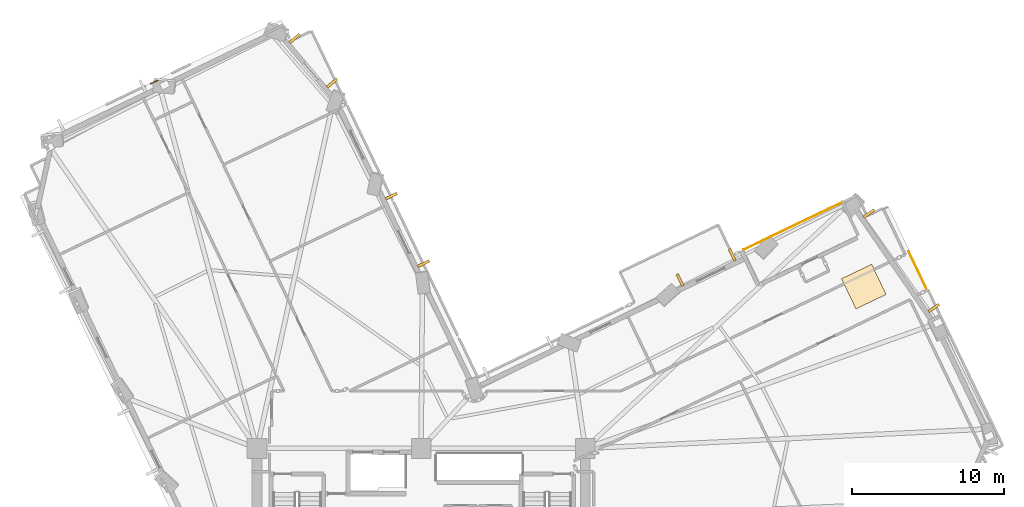
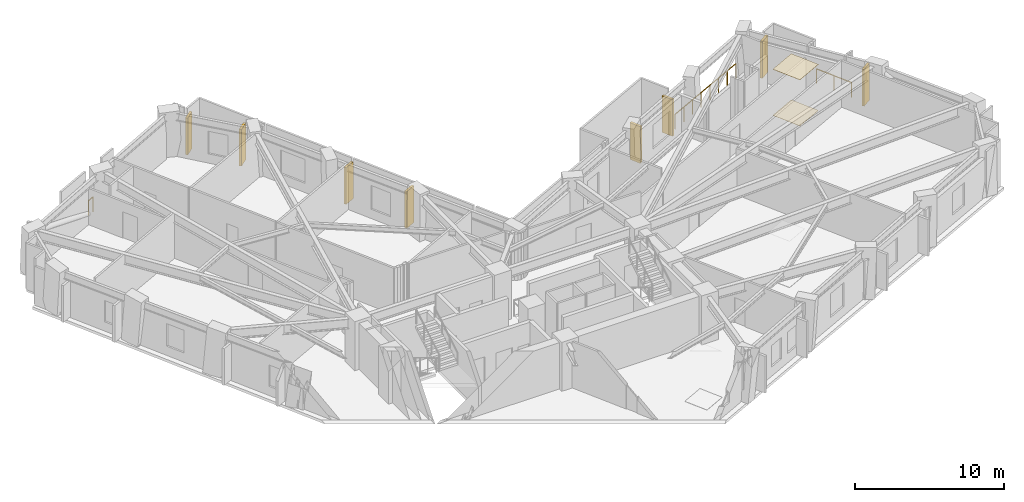
# One storey, part 15 of 16: 8 shading devices, 3 railings, 2 coverings.
"""IFC4 building model written with IfcOpenShell, lengths in metres."""

from ifc_helpers import new_model, si_unit, direction, frame, origin, origin_2d, place, context, subcontext, project, spatial, rectangle, circle, extrude, material, layer, layer_set, type_object, element, save


model = new_model("IFC4")

# Units and contexts
model_context = context("Model", 3, precision=1e-05, world=origin(), true_north=direction((0.0, 1.0)))
body_context = subcontext(model_context, "Body", "Model", "MODEL_VIEW")
ifc_project = project(units=[si_unit("LENGTHUNIT", "METRE"), si_unit("AREAUNIT", "SQUARE_METRE"), si_unit("VOLUMEUNIT", "CUBIC_METRE"), si_unit("PLANEANGLEUNIT", "RADIAN"), si_unit("MASSUNIT", "GRAM", prefix="KILO")], contexts=[model_context])

# Site, building, storey
site_placement = place(None, origin())
site = spatial("IfcSite", under=ifc_project, at=site_placement, CompositionType="ELEMENT")
building_placement = place(site_placement, origin())
building = spatial("IfcBuilding", under=site, at=building_placement, Name="Gaonmaruhae Medical Tower", CompositionType="ELEMENT")
storey_placement = place(building_placement, frame((0.0, 0.0, 132.39990234375)))
storey = spatial("IfcBuildingStorey", under=building, at=storey_placement, Name="L31", CompositionType="ELEMENT", Elevation=132.39990234375)

# Coverings
ifc_material_1 = material(Name="Acoustic mineral ceiling tile", Category="finish")
ifc_layer_1 = layer(ifc_material_1, 0.02490234375)
ifc_layer_set_1 = layer_set([ifc_layer_1], Name="Acoustic mineral ceiling tile")
covering_type_1 = type_object("IfcCoveringType", Name="CLG-01 Antimicrobial Acoustic Mineral Ceiling", PredefinedType="CEILING", material=ifc_layer_set_1)
covering_1_placement = place(storey_placement, frame((53.927490234375, 27.447509765625, 3.755126953125), z_axis=(0.0, 0.0, 1.0), x_axis=(0.901455117112, 0.43287258152, 0.0)))
element("IfcCovering", 1, at=covering_1_placement, inside=storey, type_object=covering_type_1, Name="L31 Clinical Corridor Acoustic Ceiling", PredefinedType="CEILING", context=body_context, shape_type="SweptSolid", body=[
    extrude(rectangle(XDim=2.199951171875, YDim=2.199951171875, at=origin_2d()), origin(), (0.0, 0.0, 1.0), 0.02490234375),
])
ifc_material_2 = material(Name="Seamless clinical vinyl flooring", Category="finish")
ifc_layer_2 = layer(ifc_material_2, 0.014892578125)
ifc_layer_set_2 = layer_set([ifc_layer_2], Name="Seamless clinical vinyl flooring")
covering_type_2 = type_object("IfcCoveringType", Name="FLR-01 Seamless Clinical Antistatic Vinyl Flooring", PredefinedType="FLOORING", material=ifc_layer_set_2)
covering_2_placement = place(storey_placement, frame((53.927490234375, 27.447509765625, 0.00048828125), z_axis=(0.0, 0.0, 1.0), x_axis=(0.901455117112, 0.43287258152, 0.0)))
element("IfcCovering", 2, at=covering_2_placement, inside=storey, type_object=covering_type_2, Name="L31 Clinical Corridor Vinyl Flooring", PredefinedType="FLOORING", context=body_context, shape_type="SweptSolid", body=[
    extrude(rectangle(XDim=2.199951171875, YDim=2.199951171875, at=origin_2d()), origin(), (0.0, 0.0, 1.0), 0.014892578125),
])

# Railings
ifc_material_3 = material(Name="Stainless steel 316L and laminated safety glass", Category="steel")
ifc_layer_3 = layer(ifc_material_3, 0.080078125)
ifc_layer_set_3 = layer_set([ifc_layer_3], Name="Stainless steel 316L and laminated safety glass")
railing_type = type_object("IfcRailingType", Name="GD-120 Outdoor Terrace Safety Glass & Steel Balustrade", PredefinedType="BALUSTRADE", material=ifc_layer_set_3)
railing_1_placement = place(storey_placement, frame((52.516357421875, 32.99609375, 0.0)))
element("IfcRailing", 3, at=railing_1_placement, inside=storey, type_object=railing_type, Name="L31 Terrace Safety Guard RL-SLB-L31-TER-03", PredefinedType="BALUSTRADE", context=body_context, shape_type="SweptSolid", body=[
    extrude(circle(Radius=0.02392578125, at=origin_2d()), frame((0.0, 0.0, 1.17578125), z_axis=(-0.901454259249, -0.432874368011, 0.0), x_axis=(0.432874368011, -0.901454259249, 0.0)), (0.0, 0.0, 1.0), 7.199951171875),
    extrude(circle(Radius=0.02099609375, at=origin_2d()), origin(), (0.0, 0.0, 1.0), 1.15185546875),
    extrude(circle(Radius=0.02099609375, at=origin_2d()), frame((-0.92724609375, -0.4453125, 0.0)), (0.0, 0.0, 1.0), 1.15185546875),
    extrude(circle(Radius=0.02099609375, at=origin_2d()), frame((-1.8544921875, -0.890380859375, 0.0)), (0.0, 0.0, 1.0), 1.15185546875),
    extrude(circle(Radius=0.02099609375, at=origin_2d()), frame((-2.78173828125, -1.335693359375, 0.0)), (0.0, 0.0, 1.0), 1.15185546875),
    extrude(circle(Radius=0.02099609375, at=origin_2d()), frame((-3.708740234375, -1.781005859375, 0.0)), (0.0, 0.0, 1.0), 1.15185546875),
    extrude(circle(Radius=0.02099609375, at=origin_2d()), frame((-4.635986328125, -2.226318359375, 0.0)), (0.0, 0.0, 1.0), 1.15185546875),
    extrude(circle(Radius=0.02099609375, at=origin_2d()), frame((-5.563232421875, -2.67138671875, 0.0)), (0.0, 0.0, 1.0), 1.15185546875),
    extrude(circle(Radius=0.02099609375, at=origin_2d()), frame((-6.490478515625, -3.11669921875, 0.0)), (0.0, 0.0, 1.0), 1.15185546875),
])
railing_2_placement = place(storey_placement, frame((56.88037109375, 29.752685546875, 0.0)))
element("IfcRailing", 4, at=railing_2_placement, inside=storey, type_object=railing_type, Name="L31 Perimeter Slab Edge Safety Balustrade 02", PredefinedType="BALUSTRADE", context=body_context, shape_type="SweptSolid", body=[
    extrude(circle(Radius=0.02392578125, at=origin_2d()), frame((0.0, 0.0, 1.17578125), z_axis=(0.432845695513, -0.901468027096, 0.0), x_axis=(0.901468027096, 0.432845695513, 0.0)), (0.0, 0.0, 1.0), 2.8388671875),
    extrude(circle(Radius=0.02099609375, at=origin_2d()), origin(), (0.0, 0.0, 1.0), 1.15185546875),
    extrude(circle(Radius=0.02099609375, at=origin_2d()), frame((0.6142578125, -1.279541015625, 0.0)), (0.0, 0.0, 1.0), 1.15185546875),
    extrude(circle(Radius=0.02099609375, at=origin_2d()), frame((1.228759765625, -2.55908203125, 0.0)), (0.0, 0.0, 1.0), 1.15185546875),
])
railing_3_placement = place(storey_placement, frame((7.010986328125, 40.796630859375, 0.0)))
element("IfcRailing", 5, at=railing_3_placement, inside=storey, type_object=railing_type, Name="L31 Perimeter Slab Edge Safety Balustrade 03", PredefinedType="BALUSTRADE", context=body_context, shape_type="SweptSolid", body=[
    extrude(circle(Radius=0.02392578125, at=origin_2d()), frame((0.0, 0.0, 1.17578125), z_axis=(0.901397759132, 0.43299200897, 0.0), x_axis=(-0.43299200897, 0.901397759132, 0.0)), (0.0, 0.0, 1.0), 0.51708984375),
    extrude(circle(Radius=0.02099609375, at=origin_2d()), origin(), (0.0, 0.0, 1.0), 1.15185546875),
    extrude(circle(Radius=0.02099609375, at=origin_2d()), frame((0.466064453125, 0.223876953125, 0.0)), (0.0, 0.0, 1.0), 1.15185546875),
])

# Shading devices
ifc_material_4 = material(Name="Pigmented coral precast concrete C45/55", Category="concrete")
shading_device_type = type_object("IfcShadingDeviceType", Name="SD-FIN1 Tower Vertical Coral Precast Shading Fin", PredefinedType="USERDEFINED", material=ifc_material_4)
for number, where, z_axis, x_axis, name in (
    (6, (54.266357421875, 32.25537109375, 0.08251953125), (0.0, 0.0, 1.0), (0.565557297563, -0.824709005149, 0.0), "L31 Vertical Coral Precast Shading Fin E02"),
    (7, (58.529296875, 26.038818359375, 0.08251953125), (0.0, 0.0, 1.0), (0.565557297563, -0.824709005149, 0.0), "L31 Vertical Coral Precast Shading Fin E02B"),
    (8, (41.830078125, 27.881103515625, 0.072509765625), (0.0, 0.0, 1.0), (0.901455117112, 0.43287258152, 0.0), "L31 Vertical Coral Precast Shading Fin EN01"),
    (9, (45.27099609375, 29.53369140625, 0.072509765625), (0.0, 0.0, 1.0), (0.901455117112, 0.43287258152, 0.0), "L31 Vertical Coral Precast Shading Fin EN01B"),
    (10, (22.832275390625, 33.397705078125, 0.08251953125), (0.0, 0.0, 1.0), (0.43287258152, -0.901455117112, 0.0), "L31 Vertical Coral Precast Shading Fin NE01"),
    (11, (24.963134765625, 28.9599609375, 0.08251953125), (0.0, 0.0, 1.0), (0.43287258152, -0.901455117112, 0.0), "L31 Vertical Coral Precast Shading Fin NE01B"),
    (12, (16.472412109375, 43.772216796875, 0.08251953125), (0.0, 0.0, 1.0), (0.643201985513, -0.765696549445, 0.0), "L31 Vertical Coral Precast Shading Fin NE03"),
    (13, (18.934814453125, 40.840576171875, 0.08251953125), (0.0, 0.0, 1.0), (0.643201985513, -0.765696549445, 0.0), "L31 Vertical Coral Precast Shading Fin NE03B"),
):
    element("IfcShadingDevice", number, at=place(storey_placement, frame(where, z_axis=z_axis, x_axis=x_axis)), inside=storey, type_object=shading_device_type, Name=name, ObjectType="FIN", PredefinedType="USERDEFINED", context=body_context, shape_type="SweptSolid", body=[
        extrude(rectangle(XDim=0.179931640625, YDim=0.85009765625, at=origin_2d()), origin(), (0.0, 0.0, 1.0), 3.0),
    ])

save(model, "model.ifc")
